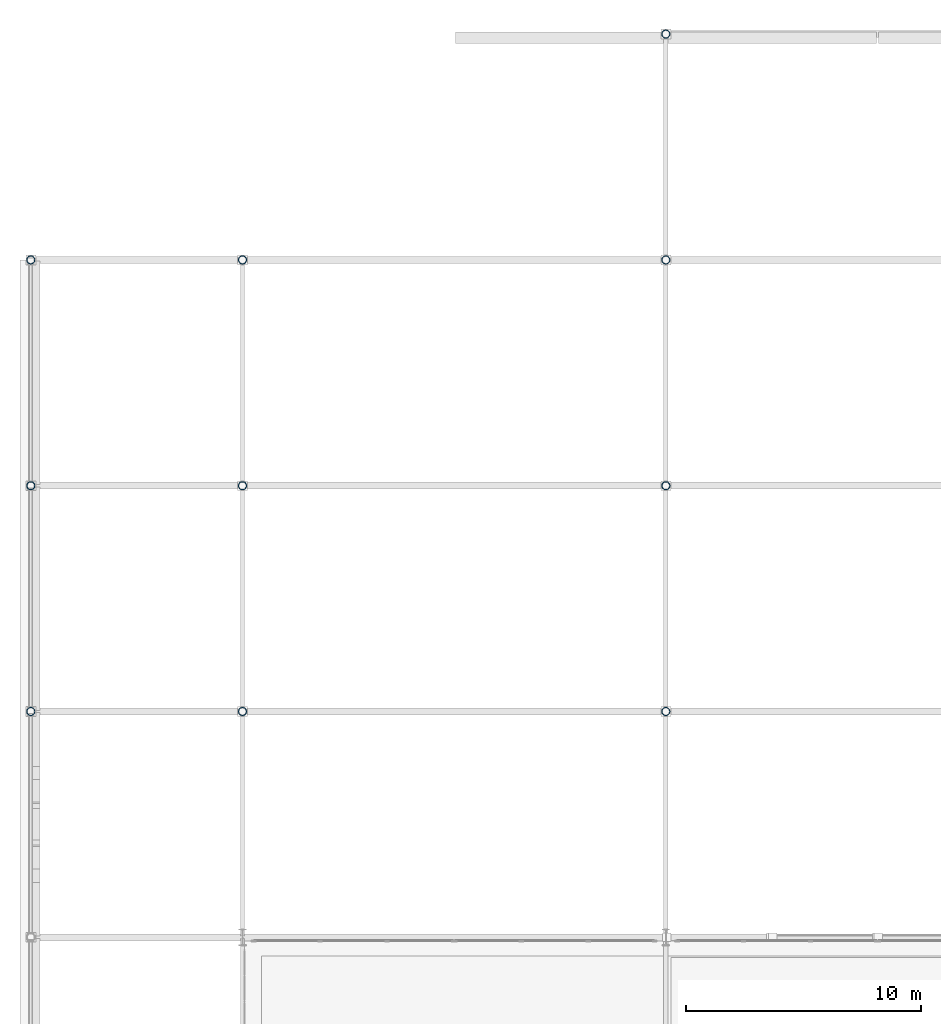
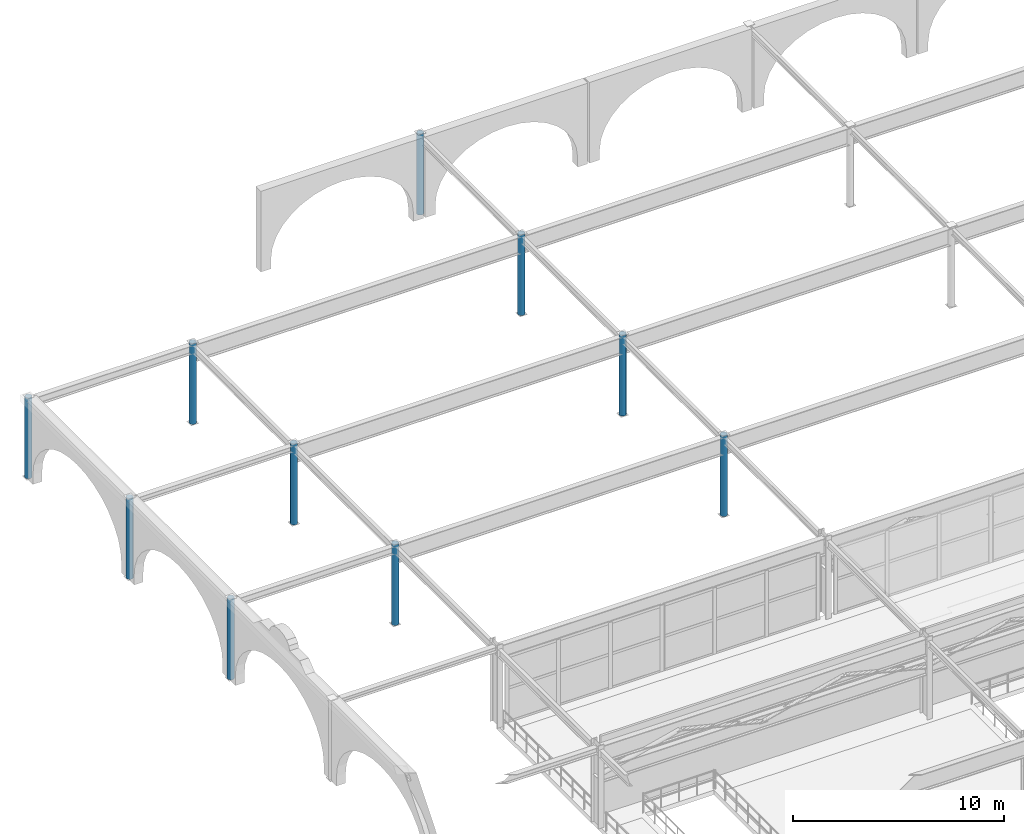
# One storey, part 11 of 125: 10 columns.
"""IFC4 building model written with IfcOpenShell, lengths in metres."""

from ifc_helpers import new_model, si_unit, direction, frame, origin, origin_2d, place, context, subcontext, project, spatial, hollow_circle, extrude, material, material_profile, profile_set, type_object, element, save


model = new_model("IFC4")

# Units and contexts
model_context = context("Model", 3, precision=1e-05, world=origin(), true_north=direction((0.0, 1.0)))
body_context = subcontext(model_context, "Body", "Model", "MODEL_VIEW")
ifc_project = project(units=[si_unit("LENGTHUNIT", "METRE"), si_unit("AREAUNIT", "SQUARE_METRE"), si_unit("VOLUMEUNIT", "CUBIC_METRE"), si_unit("PLANEANGLEUNIT", "RADIAN"), si_unit("MASSUNIT", "GRAM", prefix="KILO")], contexts=[model_context])

# Site, building, storey
site_placement = place(None, origin())
site = spatial("IfcSite", under=ifc_project, at=site_placement, CompositionType="ELEMENT")
building_placement = place(site_placement, origin())
building = spatial("IfcBuilding", under=site, at=building_placement, Name="Myrtia Square Station", CompositionType="ELEMENT")
storey_placement = place(building_placement, frame((0.0, 0.0, 6.0)))
storey = spatial("IfcBuildingStorey", under=building, at=storey_placement, Name="L01", CompositionType="ELEMENT", Elevation=6.0)

# Columns
ifc_material = material(Name="Steel S355", Category="steel")
ifc_material_profile = material_profile(ifc_material, hollow_circle(Radius=0.177734375, WallThickness=0.02001953125, at=origin_2d()), Name="CHS 355.6x20")
ifc_profile_set = profile_set([ifc_material_profile], Name="Steel S355")
column_type = type_object("IfcColumnType", Name="COL-CHS355", PredefinedType="COLUMN", material=ifc_profile_set)
for number, where, z_axis, x_axis, name in (
    (1, (0.0, 96.0, 0.0), (0.0, 0.0, 1.0), (1.0, 0.0, 0.0), "Column L01-0030"),
    (2, (0.0, 105.60009765625, 0.0), (0.0, 0.0, 1.0), (1.0, 0.0, 0.0), "Column L01-0033"),
    (3, (0.0, 115.199951171875, 0.0), (0.0, 0.0, 1.0), (1.0, 0.0, 0.0), "Column L01-0036"),
    (4, (9.0, 96.0, 0.0), (0.0, 0.0, 1.0), (1.0, 0.0, 0.0), "Column L01-0066"),
    (5, (9.0, 105.60009765625, 0.0), (0.0, 0.0, 1.0), (1.0, 0.0, 0.0), "Column L01-0069"),
    (6, (9.0, 115.199951171875, 0.0), (0.0, 0.0, 1.0), (1.0, 0.0, 0.0), "Column L01-0072"),
    (7, (27.0, 96.0, 0.0), (0.0, 0.0, 1.0), (1.0, 0.0, 0.0), "Column L01-0105"),
    (8, (27.0, 105.60009765625, 0.0), (0.0, 0.0, 1.0), (1.0, 0.0, 0.0), "Column L01-0108"),
    (9, (27.0, 115.199951171875, 0.0), (0.0, 0.0, 1.0), (1.0, 0.0, 0.0), "Column L01-0111"),
    (10, (27.0, 124.800048828125, 0.0), (0.0, 0.0, 1.0), (1.0, 0.0, 0.0), "Column L01-0114"),
):
    element("IfcColumn", number, at=place(storey_placement, frame(where, z_axis=z_axis, x_axis=x_axis)), inside=storey, type_object=column_type, Name=name, PredefinedType="COLUMN", context=body_context, shape_type="SweptSolid", body=[
        extrude(hollow_circle(Radius=0.177734375, WallThickness=0.02001953125, at=origin_2d()), origin(), (0.0, 0.0, 1.0), 4.679931640625),
    ])

save(model, "model.ifc")
